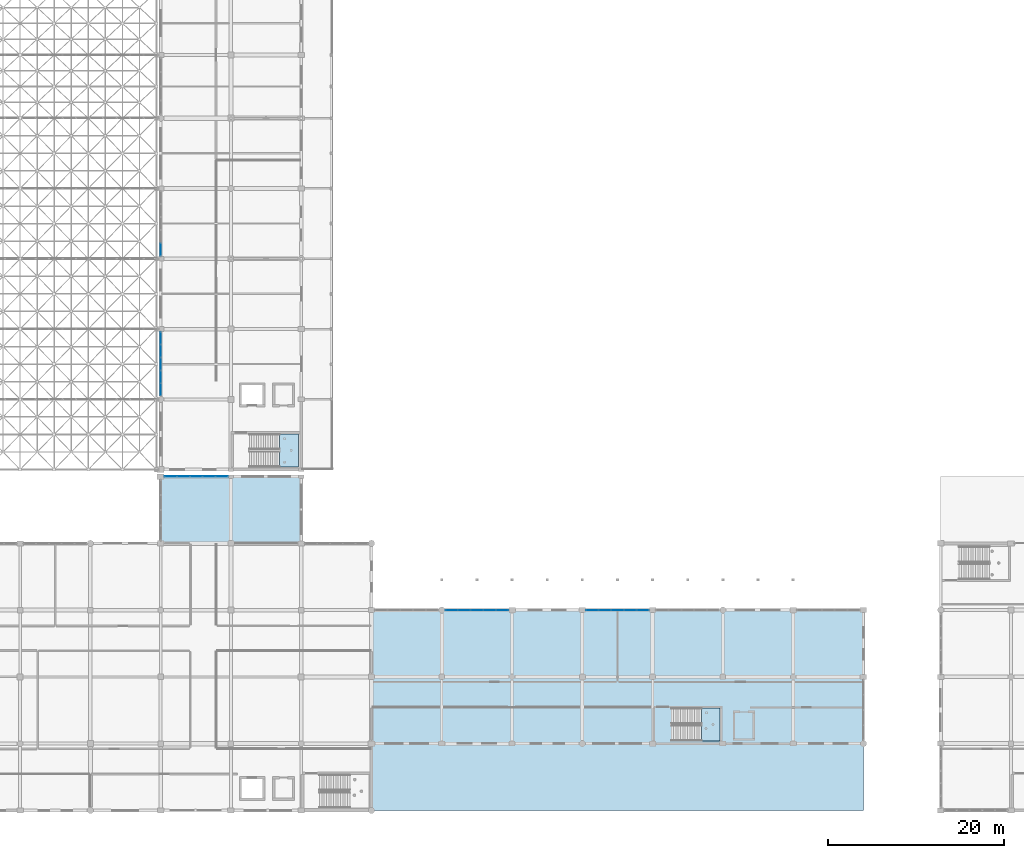
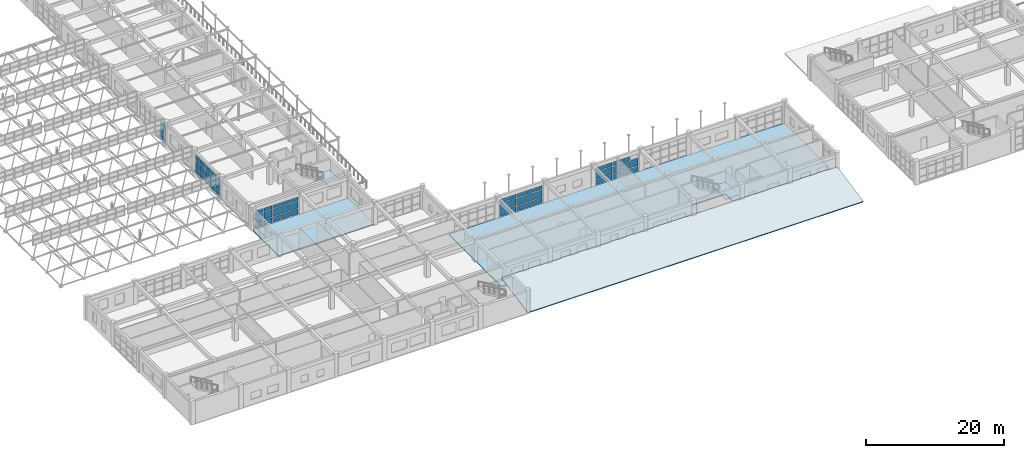
# One storey, part 145 of 195: 62 plates, 5 slabs, 7 elements without a shape of their own.
"""IFC4 building model written with IfcOpenShell, lengths in metres."""

from ifc_helpers import new_model, si_unit, direction, frame, origin, origin_2d, place, context, subcontext, project, spatial, polyline, rectangle, outline, extrude, material, layer, layer_set, type_object, element, aggregate, save


model = new_model("IFC4")

# Units and contexts
model_context = context("Model", 3, precision=1e-05, world=origin(), true_north=direction((0.0, 1.0)))
body_context = subcontext(model_context, "Body", "Model", "MODEL_VIEW")
ifc_project = project(units=[si_unit("LENGTHUNIT", "METRE"), si_unit("AREAUNIT", "SQUARE_METRE"), si_unit("VOLUMEUNIT", "CUBIC_METRE"), si_unit("PLANEANGLEUNIT", "RADIAN"), si_unit("MASSUNIT", "GRAM", prefix="KILO")], contexts=[model_context])

# Site, building, storey
site_placement = place(None, origin())
site = spatial("IfcSite", under=ifc_project, at=site_placement, CompositionType="ELEMENT")
building_placement = place(site_placement, origin())
building = spatial("IfcBuilding", under=site, at=building_placement, Name="Kharva Crest Polytechnic", CompositionType="ELEMENT")
storey_placement = place(building_placement, frame((0.0, 0.0, 9.0)))
storey = spatial("IfcBuildingStorey", under=building, at=storey_placement, Name="L02", CompositionType="ELEMENT", Elevation=9.0)

# Curtain wall, plates
ifc_material_1 = material(Name="Tempered insulated glass", Category="glass")
curtain_wall_type = type_object("IfcCurtainWallType", Name="CW-SYS-COURT", PredefinedType="USERDEFINED", material=ifc_material_1)
curtain_wall_1_placement = place(storey_placement, origin())
curtain_wall_1 = element("IfcCurtainWall", 1, at=curtain_wall_1_placement, inside=storey, type_object=curtain_wall_type, Name="L02 Glazed Curtain Wall CW-083", ObjectType="CURTAIN WALL", PredefinedType="USERDEFINED")
ifc_layer_1 = layer(ifc_material_1, 0.02392578125, Name="Tempered insulated glass")
ifc_layer_set_1 = layer_set([ifc_layer_1], Name="Tempered insulated glass")
plate_type = type_object("IfcPlateType", Name="CWP-GLZ-24", PredefinedType="CURTAIN_PANEL", material=ifc_layer_set_1)
plate_1_placement = place(storey_placement, frame((86.889404296875, 22.800048828125, 0.119873046875), z_axis=(0.0, 0.0, 1.0), x_axis=(-1.0, 0.0, 0.0)))
plate_1 = element("IfcPlate", 2, at=plate_1_placement, type_object=plate_type, Name="CW-083 panel 1.1", PredefinedType="CURTAIN_PANEL", context=body_context, shape_type="SweptSolid", body=[
    extrude(rectangle(XDim=1.3310546875, YDim=0.02392578125, at=origin_2d()), origin(), (0.0, 0.0, 1.0), 0.8701171875),
])
plate_2_placement = place(storey_placement, frame((86.889404296875, 22.800048828125, 1.10986328125), z_axis=(0.0, 0.0, 1.0), x_axis=(-1.0, 0.0, 0.0)))
plate_2 = element("IfcPlate", 3, at=plate_2_placement, type_object=plate_type, Name="CW-083 panel 1.2", PredefinedType="CURTAIN_PANEL", context=body_context, shape_type="SweptSolid", body=[
    extrude(rectangle(XDim=1.3310546875, YDim=0.02392578125, at=origin_2d()), origin(), (0.0, 0.0, 1.0), 1.280029296875),
])
plate_3_placement = place(storey_placement, frame((85.45849609375, 22.800048828125, 0.119873046875), z_axis=(0.0, 0.0, 1.0), x_axis=(-1.0, 0.0, 0.0)))
plate_3 = element("IfcPlate", 4, at=plate_3_placement, type_object=plate_type, Name="CW-083 panel 2.1", PredefinedType="CURTAIN_PANEL", context=body_context, shape_type="SweptSolid", body=[
    extrude(rectangle(XDim=1.37109375, YDim=0.02392578125, at=origin_2d()), origin(), (0.0, 0.0, 1.0), 0.8701171875),
])
plate_4_placement = place(storey_placement, frame((85.45849609375, 22.800048828125, 1.10986328125), z_axis=(0.0, 0.0, 1.0), x_axis=(-1.0, 0.0, 0.0)))
plate_4 = element("IfcPlate", 5, at=plate_4_placement, type_object=plate_type, Name="CW-083 panel 2.2", PredefinedType="CURTAIN_PANEL", context=body_context, shape_type="SweptSolid", body=[
    extrude(rectangle(XDim=1.37109375, YDim=0.02392578125, at=origin_2d()), origin(), (0.0, 0.0, 1.0), 1.280029296875),
])
plate_5_placement = place(storey_placement, frame((85.45849609375, 22.800048828125, 2.51025390625), z_axis=(0.0, 0.0, 1.0), x_axis=(-1.0, 0.0, 0.0)))
plate_5 = element("IfcPlate", 6, at=plate_5_placement, type_object=plate_type, Name="CW-083 panel 2.3", PredefinedType="CURTAIN_PANEL", context=body_context, shape_type="SweptSolid", body=[
    extrude(rectangle(XDim=1.37109375, YDim=0.02392578125, at=origin_2d()), origin(), (0.0, 0.0, 1.0), 0.639892578125),
])
plate_6_placement = place(storey_placement, frame((84.007568359375, 22.800048828125, 0.119873046875), z_axis=(0.0, 0.0, 1.0), x_axis=(-1.0, 0.0, 0.0)))
plate_6 = element("IfcPlate", 7, at=plate_6_placement, type_object=plate_type, Name="CW-083 panel 3.1", PredefinedType="CURTAIN_PANEL", context=body_context, shape_type="SweptSolid", body=[
    extrude(rectangle(XDim=1.37109375, YDim=0.02392578125, at=origin_2d()), origin(), (0.0, 0.0, 1.0), 0.8701171875),
])
plate_7_placement = place(storey_placement, frame((84.007568359375, 22.800048828125, 1.10986328125), z_axis=(0.0, 0.0, 1.0), x_axis=(-1.0, 0.0, 0.0)))
plate_7 = element("IfcPlate", 8, at=plate_7_placement, type_object=plate_type, Name="CW-083 panel 3.2", PredefinedType="CURTAIN_PANEL", context=body_context, shape_type="SweptSolid", body=[
    extrude(rectangle(XDim=1.37109375, YDim=0.02392578125, at=origin_2d()), origin(), (0.0, 0.0, 1.0), 1.280029296875),
])
plate_8_placement = place(storey_placement, frame((84.007568359375, 22.800048828125, 2.51025390625), z_axis=(0.0, 0.0, 1.0), x_axis=(-1.0, 0.0, 0.0)))
plate_8 = element("IfcPlate", 9, at=plate_8_placement, type_object=plate_type, Name="CW-083 panel 3.3", PredefinedType="CURTAIN_PANEL", context=body_context, shape_type="SweptSolid", body=[
    extrude(rectangle(XDim=1.37109375, YDim=0.02392578125, at=origin_2d()), origin(), (0.0, 0.0, 1.0), 0.639892578125),
])
plate_9_placement = place(storey_placement, frame((82.556396484375, 22.800048828125, 0.119873046875), z_axis=(0.0, 0.0, 1.0), x_axis=(-1.0, 0.0, 0.0)))
plate_9 = element("IfcPlate", 10, at=plate_9_placement, type_object=plate_type, Name="CW-083 panel 4.1", PredefinedType="CURTAIN_PANEL", context=body_context, shape_type="SweptSolid", body=[
    extrude(rectangle(XDim=1.37109375, YDim=0.02392578125, at=origin_2d()), origin(), (0.0, 0.0, 1.0), 0.8701171875),
])
plate_10_placement = place(storey_placement, frame((82.556396484375, 22.800048828125, 1.10986328125), z_axis=(0.0, 0.0, 1.0), x_axis=(-1.0, 0.0, 0.0)))
plate_10 = element("IfcPlate", 11, at=plate_10_placement, type_object=plate_type, Name="CW-083 panel 4.2", PredefinedType="CURTAIN_PANEL", context=body_context, shape_type="SweptSolid", body=[
    extrude(rectangle(XDim=1.37109375, YDim=0.02392578125, at=origin_2d()), origin(), (0.0, 0.0, 1.0), 1.280029296875),
])
plate_11_placement = place(storey_placement, frame((82.556396484375, 22.800048828125, 2.51025390625), z_axis=(0.0, 0.0, 1.0), x_axis=(-1.0, 0.0, 0.0)))
plate_11 = element("IfcPlate", 12, at=plate_11_placement, type_object=plate_type, Name="CW-083 panel 4.3", PredefinedType="CURTAIN_PANEL", context=body_context, shape_type="SweptSolid", body=[
    extrude(rectangle(XDim=1.37109375, YDim=0.02392578125, at=origin_2d()), origin(), (0.0, 0.0, 1.0), 0.639892578125),
])
plate_12_placement = place(storey_placement, frame((81.12548828125, 22.800048828125, 0.119873046875), z_axis=(0.0, 0.0, 1.0), x_axis=(-1.0, 0.0, 0.0)))
plate_12 = element("IfcPlate", 13, at=plate_12_placement, type_object=plate_type, Name="CW-083 panel 5.1", PredefinedType="CURTAIN_PANEL", context=body_context, shape_type="SweptSolid", body=[
    extrude(rectangle(XDim=1.3310546875, YDim=0.02392578125, at=origin_2d()), origin(), (0.0, 0.0, 1.0), 0.8701171875),
])
plate_13_placement = place(storey_placement, frame((81.12548828125, 22.800048828125, 1.10986328125), z_axis=(0.0, 0.0, 1.0), x_axis=(-1.0, 0.0, 0.0)))
plate_13 = element("IfcPlate", 14, at=plate_13_placement, type_object=plate_type, Name="CW-083 panel 5.2", PredefinedType="CURTAIN_PANEL", context=body_context, shape_type="SweptSolid", body=[
    extrude(rectangle(XDim=1.3310546875, YDim=0.02392578125, at=origin_2d()), origin(), (0.0, 0.0, 1.0), 1.280029296875),
])
plate_14_placement = place(storey_placement, frame((81.12548828125, 22.800048828125, 2.51025390625), z_axis=(0.0, 0.0, 1.0), x_axis=(-1.0, 0.0, 0.0)))
plate_14 = element("IfcPlate", 15, at=plate_14_placement, type_object=plate_type, Name="CW-083 panel 5.3", PredefinedType="CURTAIN_PANEL", context=body_context, shape_type="SweptSolid", body=[
    extrude(rectangle(XDim=1.3310546875, YDim=0.02392578125, at=origin_2d()), origin(), (0.0, 0.0, 1.0), 0.639892578125),
])
aggregate(curtain_wall_1, [plate_1, plate_2, plate_3, plate_4, plate_5, plate_6, plate_7, plate_8, plate_9, plate_10, plate_11, plate_12, plate_13, plate_14])

curtain_wall_2_placement = place(storey_placement, origin())
curtain_wall_2 = element("IfcCurtainWall", 16, at=curtain_wall_2_placement, inside=storey, type_object=curtain_wall_type, Name="L02 Glazed Curtain Wall CW-084", ObjectType="CURTAIN WALL", PredefinedType="USERDEFINED")
plate_15_placement = place(storey_placement, frame((70.87451171875, 22.800048828125, 0.119873046875), z_axis=(0.0, 0.0, 1.0), x_axis=(-1.0, 0.0, 0.0)))
plate_15 = element("IfcPlate", 17, at=plate_15_placement, type_object=plate_type, Name="CW-084 panel 1.1", PredefinedType="CURTAIN_PANEL", context=body_context, shape_type="SweptSolid", body=[
    extrude(rectangle(XDim=1.3310546875, YDim=0.02392578125, at=origin_2d()), origin(), (0.0, 0.0, 1.0), 0.8701171875),
])
plate_16_placement = place(storey_placement, frame((70.87451171875, 22.800048828125, 1.10986328125), z_axis=(0.0, 0.0, 1.0), x_axis=(-1.0, 0.0, 0.0)))
plate_16 = element("IfcPlate", 18, at=plate_16_placement, type_object=plate_type, Name="CW-084 panel 1.2", PredefinedType="CURTAIN_PANEL", context=body_context, shape_type="SweptSolid", body=[
    extrude(rectangle(XDim=1.3310546875, YDim=0.02392578125, at=origin_2d()), origin(), (0.0, 0.0, 1.0), 1.280029296875),
])
plate_17_placement = place(storey_placement, frame((70.87451171875, 22.800048828125, 2.51025390625), z_axis=(0.0, 0.0, 1.0), x_axis=(-1.0, 0.0, 0.0)))
plate_17 = element("IfcPlate", 19, at=plate_17_placement, type_object=plate_type, Name="CW-084 panel 1.3", PredefinedType="CURTAIN_PANEL", context=body_context, shape_type="SweptSolid", body=[
    extrude(rectangle(XDim=1.3310546875, YDim=0.02392578125, at=origin_2d()), origin(), (0.0, 0.0, 1.0), 0.639892578125),
])
plate_18_placement = place(storey_placement, frame((69.443603515625, 22.800048828125, 0.119873046875), z_axis=(0.0, 0.0, 1.0), x_axis=(-1.0, 0.0, 0.0)))
plate_18 = element("IfcPlate", 20, at=plate_18_placement, type_object=plate_type, Name="CW-084 panel 2.1", PredefinedType="CURTAIN_PANEL", context=body_context, shape_type="SweptSolid", body=[
    extrude(rectangle(XDim=1.37109375, YDim=0.02392578125, at=origin_2d()), origin(), (0.0, 0.0, 1.0), 0.8701171875),
])
plate_19_placement = place(storey_placement, frame((69.443603515625, 22.800048828125, 1.10986328125), z_axis=(0.0, 0.0, 1.0), x_axis=(-1.0, 0.0, 0.0)))
plate_19 = element("IfcPlate", 21, at=plate_19_placement, type_object=plate_type, Name="CW-084 panel 2.2", PredefinedType="CURTAIN_PANEL", context=body_context, shape_type="SweptSolid", body=[
    extrude(rectangle(XDim=1.37109375, YDim=0.02392578125, at=origin_2d()), origin(), (0.0, 0.0, 1.0), 1.280029296875),
])
plate_20_placement = place(storey_placement, frame((69.443603515625, 22.800048828125, 2.51025390625), z_axis=(0.0, 0.0, 1.0), x_axis=(-1.0, 0.0, 0.0)))
plate_20 = element("IfcPlate", 22, at=plate_20_placement, type_object=plate_type, Name="CW-084 panel 2.3", PredefinedType="CURTAIN_PANEL", context=body_context, shape_type="SweptSolid", body=[
    extrude(rectangle(XDim=1.37109375, YDim=0.02392578125, at=origin_2d()), origin(), (0.0, 0.0, 1.0), 0.639892578125),
])
plate_21_placement = place(storey_placement, frame((67.992431640625, 22.800048828125, 0.119873046875), z_axis=(0.0, 0.0, 1.0), x_axis=(-1.0, 0.0, 0.0)))
plate_21 = element("IfcPlate", 23, at=plate_21_placement, type_object=plate_type, Name="CW-084 panel 3.1", PredefinedType="CURTAIN_PANEL", context=body_context, shape_type="SweptSolid", body=[
    extrude(rectangle(XDim=1.37109375, YDim=0.02392578125, at=origin_2d()), origin(), (0.0, 0.0, 1.0), 0.8701171875),
])
plate_22_placement = place(storey_placement, frame((67.992431640625, 22.800048828125, 1.10986328125), z_axis=(0.0, 0.0, 1.0), x_axis=(-1.0, 0.0, 0.0)))
plate_22 = element("IfcPlate", 24, at=plate_22_placement, type_object=plate_type, Name="CW-084 panel 3.2", PredefinedType="CURTAIN_PANEL", context=body_context, shape_type="SweptSolid", body=[
    extrude(rectangle(XDim=1.37109375, YDim=0.02392578125, at=origin_2d()), origin(), (0.0, 0.0, 1.0), 1.280029296875),
])
plate_23_placement = place(storey_placement, frame((67.992431640625, 22.800048828125, 2.51025390625), z_axis=(0.0, 0.0, 1.0), x_axis=(-1.0, 0.0, 0.0)))
plate_23 = element("IfcPlate", 25, at=plate_23_placement, type_object=plate_type, Name="CW-084 panel 3.3", PredefinedType="CURTAIN_PANEL", context=body_context, shape_type="SweptSolid", body=[
    extrude(rectangle(XDim=1.37109375, YDim=0.02392578125, at=origin_2d()), origin(), (0.0, 0.0, 1.0), 0.639892578125),
])
plate_24_placement = place(storey_placement, frame((66.54150390625, 22.800048828125, 0.119873046875), z_axis=(0.0, 0.0, 1.0), x_axis=(-1.0, 0.0, 0.0)))
plate_24 = element("IfcPlate", 26, at=plate_24_placement, type_object=plate_type, Name="CW-084 panel 4.1", PredefinedType="CURTAIN_PANEL", context=body_context, shape_type="SweptSolid", body=[
    extrude(rectangle(XDim=1.37109375, YDim=0.02392578125, at=origin_2d()), origin(), (0.0, 0.0, 1.0), 0.8701171875),
])
plate_25_placement = place(storey_placement, frame((66.54150390625, 22.800048828125, 1.10986328125), z_axis=(0.0, 0.0, 1.0), x_axis=(-1.0, 0.0, 0.0)))
plate_25 = element("IfcPlate", 27, at=plate_25_placement, type_object=plate_type, Name="CW-084 panel 4.2", PredefinedType="CURTAIN_PANEL", context=body_context, shape_type="SweptSolid", body=[
    extrude(rectangle(XDim=1.37109375, YDim=0.02392578125, at=origin_2d()), origin(), (0.0, 0.0, 1.0), 1.280029296875),
])
plate_26_placement = place(storey_placement, frame((66.54150390625, 22.800048828125, 2.51025390625), z_axis=(0.0, 0.0, 1.0), x_axis=(-1.0, 0.0, 0.0)))
plate_26 = element("IfcPlate", 28, at=plate_26_placement, type_object=plate_type, Name="CW-084 panel 4.3", PredefinedType="CURTAIN_PANEL", context=body_context, shape_type="SweptSolid", body=[
    extrude(rectangle(XDim=1.37109375, YDim=0.02392578125, at=origin_2d()), origin(), (0.0, 0.0, 1.0), 0.639892578125),
])
plate_27_placement = place(storey_placement, frame((65.110595703125, 22.800048828125, 0.119873046875), z_axis=(0.0, 0.0, 1.0), x_axis=(-1.0, 0.0, 0.0)))
plate_27 = element("IfcPlate", 29, at=plate_27_placement, type_object=plate_type, Name="CW-084 panel 5.1", PredefinedType="CURTAIN_PANEL", context=body_context, shape_type="SweptSolid", body=[
    extrude(rectangle(XDim=1.3310546875, YDim=0.02392578125, at=origin_2d()), origin(), (0.0, 0.0, 1.0), 0.8701171875),
])
plate_28_placement = place(storey_placement, frame((65.110595703125, 22.800048828125, 1.10986328125), z_axis=(0.0, 0.0, 1.0), x_axis=(-1.0, 0.0, 0.0)))
plate_28 = element("IfcPlate", 30, at=plate_28_placement, type_object=plate_type, Name="CW-084 panel 5.2", PredefinedType="CURTAIN_PANEL", context=body_context, shape_type="SweptSolid", body=[
    extrude(rectangle(XDim=1.3310546875, YDim=0.02392578125, at=origin_2d()), origin(), (0.0, 0.0, 1.0), 1.280029296875),
])
plate_29_placement = place(storey_placement, frame((65.110595703125, 22.800048828125, 2.51025390625), z_axis=(0.0, 0.0, 1.0), x_axis=(-1.0, 0.0, 0.0)))
plate_29 = element("IfcPlate", 31, at=plate_29_placement, type_object=plate_type, Name="CW-084 panel 5.3", PredefinedType="CURTAIN_PANEL", context=body_context, shape_type="SweptSolid", body=[
    extrude(rectangle(XDim=1.3310546875, YDim=0.02392578125, at=origin_2d()), origin(), (0.0, 0.0, 1.0), 0.639892578125),
])
aggregate(curtain_wall_2, [plate_15, plate_16, plate_17, plate_18, plate_19, plate_20, plate_21, plate_22, plate_23, plate_24, plate_25, plate_26, plate_27, plate_28, plate_29])

curtain_wall_3_placement = place(storey_placement, origin())
curtain_wall_3 = element("IfcCurtainWall", 32, at=curtain_wall_3_placement, inside=storey, type_object=curtain_wall_type, Name="L02 Glazed Curtain Wall CW-087", ObjectType="CURTAIN WALL", PredefinedType="USERDEFINED")
plate_30_placement = place(storey_placement, frame((38.946044921875, 38.0, 0.119873046875), z_axis=(0.0, 0.0, 1.0), x_axis=(-1.0, 0.0, 0.0)))
plate_30 = element("IfcPlate", 33, at=plate_30_placement, type_object=plate_type, Name="CW-087 panel 1.1", PredefinedType="CURTAIN_PANEL", context=body_context, shape_type="SweptSolid", body=[
    extrude(rectangle(XDim=1.337890625, YDim=0.02392578125, at=origin_2d()), origin(), (0.0, 0.0, 1.0), 0.8701171875),
])
plate_31_placement = place(storey_placement, frame((38.946044921875, 38.0, 1.10986328125), z_axis=(0.0, 0.0, 1.0), x_axis=(-1.0, 0.0, 0.0)))
plate_31 = element("IfcPlate", 34, at=plate_31_placement, type_object=plate_type, Name="CW-087 panel 1.2", PredefinedType="CURTAIN_PANEL", context=body_context, shape_type="SweptSolid", body=[
    extrude(rectangle(XDim=1.337890625, YDim=0.02392578125, at=origin_2d()), origin(), (0.0, 0.0, 1.0), 1.280029296875),
])
plate_32_placement = place(storey_placement, frame((38.946044921875, 38.0, 2.509765625), z_axis=(0.0, 0.0, 1.0), x_axis=(-1.0, 0.0, 0.0)))
plate_32 = element("IfcPlate", 35, at=plate_32_placement, type_object=plate_type, Name="CW-087 panel 1.3", PredefinedType="CURTAIN_PANEL", context=body_context, shape_type="SweptSolid", body=[
    extrude(rectangle(XDim=1.337890625, YDim=0.02392578125, at=origin_2d()), origin(), (0.0, 0.0, 1.0), 0.610107421875),
])
plate_33_placement = place(storey_placement, frame((37.508056640625, 38.0, 0.119873046875), z_axis=(0.0, 0.0, 1.0), x_axis=(-1.0, 0.0, 0.0)))
plate_33 = element("IfcPlate", 36, at=plate_33_placement, type_object=plate_type, Name="CW-087 panel 2.1", PredefinedType="CURTAIN_PANEL", context=body_context, shape_type="SweptSolid", body=[
    extrude(rectangle(XDim=1.3779296875, YDim=0.02392578125, at=origin_2d()), origin(), (0.0, 0.0, 1.0), 0.8701171875),
])
plate_34_placement = place(storey_placement, frame((37.508056640625, 38.0, 1.10986328125), z_axis=(0.0, 0.0, 1.0), x_axis=(-1.0, 0.0, 0.0)))
plate_34 = element("IfcPlate", 37, at=plate_34_placement, type_object=plate_type, Name="CW-087 panel 2.2", PredefinedType="CURTAIN_PANEL", context=body_context, shape_type="SweptSolid", body=[
    extrude(rectangle(XDim=1.3779296875, YDim=0.02392578125, at=origin_2d()), origin(), (0.0, 0.0, 1.0), 1.280029296875),
])
plate_35_placement = place(storey_placement, frame((37.508056640625, 38.0, 2.509765625), z_axis=(0.0, 0.0, 1.0), x_axis=(-1.0, 0.0, 0.0)))
plate_35 = element("IfcPlate", 38, at=plate_35_placement, type_object=plate_type, Name="CW-087 panel 2.3", PredefinedType="CURTAIN_PANEL", context=body_context, shape_type="SweptSolid", body=[
    extrude(rectangle(XDim=1.3779296875, YDim=0.02392578125, at=origin_2d()), origin(), (0.0, 0.0, 1.0), 0.610107421875),
])
plate_36_placement = place(storey_placement, frame((36.050048828125, 38.0, 0.119873046875), z_axis=(0.0, 0.0, 1.0), x_axis=(-1.0, 0.0, 0.0)))
plate_36 = element("IfcPlate", 39, at=plate_36_placement, type_object=plate_type, Name="CW-087 panel 3.1", PredefinedType="CURTAIN_PANEL", context=body_context, shape_type="SweptSolid", body=[
    extrude(rectangle(XDim=1.3779296875, YDim=0.02392578125, at=origin_2d()), origin(), (0.0, 0.0, 1.0), 0.8701171875),
])
plate_37_placement = place(storey_placement, frame((36.050048828125, 38.0, 1.10986328125), z_axis=(0.0, 0.0, 1.0), x_axis=(-1.0, 0.0, 0.0)))
plate_37 = element("IfcPlate", 40, at=plate_37_placement, type_object=plate_type, Name="CW-087 panel 3.2", PredefinedType="CURTAIN_PANEL", context=body_context, shape_type="SweptSolid", body=[
    extrude(rectangle(XDim=1.3779296875, YDim=0.02392578125, at=origin_2d()), origin(), (0.0, 0.0, 1.0), 1.280029296875),
])
plate_38_placement = place(storey_placement, frame((36.050048828125, 38.0, 2.509765625), z_axis=(0.0, 0.0, 1.0), x_axis=(-1.0, 0.0, 0.0)))
plate_38 = element("IfcPlate", 41, at=plate_38_placement, type_object=plate_type, Name="CW-087 panel 3.3", PredefinedType="CURTAIN_PANEL", context=body_context, shape_type="SweptSolid", body=[
    extrude(rectangle(XDim=1.3779296875, YDim=0.02392578125, at=origin_2d()), origin(), (0.0, 0.0, 1.0), 0.610107421875),
])
plate_39_placement = place(storey_placement, frame((34.592041015625, 38.0, 0.119873046875), z_axis=(0.0, 0.0, 1.0), x_axis=(-1.0, 0.0, 0.0)))
plate_39 = element("IfcPlate", 42, at=plate_39_placement, type_object=plate_type, Name="CW-087 panel 4.1", PredefinedType="CURTAIN_PANEL", context=body_context, shape_type="SweptSolid", body=[
    extrude(rectangle(XDim=1.3779296875, YDim=0.02392578125, at=origin_2d()), origin(), (0.0, 0.0, 1.0), 0.8701171875),
])
plate_40_placement = place(storey_placement, frame((34.592041015625, 38.0, 1.10986328125), z_axis=(0.0, 0.0, 1.0), x_axis=(-1.0, 0.0, 0.0)))
plate_40 = element("IfcPlate", 43, at=plate_40_placement, type_object=plate_type, Name="CW-087 panel 4.2", PredefinedType="CURTAIN_PANEL", context=body_context, shape_type="SweptSolid", body=[
    extrude(rectangle(XDim=1.3779296875, YDim=0.02392578125, at=origin_2d()), origin(), (0.0, 0.0, 1.0), 1.280029296875),
])
plate_41_placement = place(storey_placement, frame((34.592041015625, 38.0, 2.509765625), z_axis=(0.0, 0.0, 1.0), x_axis=(-1.0, 0.0, 0.0)))
plate_41 = element("IfcPlate", 44, at=plate_41_placement, type_object=plate_type, Name="CW-087 panel 4.3", PredefinedType="CURTAIN_PANEL", context=body_context, shape_type="SweptSolid", body=[
    extrude(rectangle(XDim=1.3779296875, YDim=0.02392578125, at=origin_2d()), origin(), (0.0, 0.0, 1.0), 0.610107421875),
])
plate_42_placement = place(storey_placement, frame((33.154052734375, 38.0, 0.119873046875), z_axis=(0.0, 0.0, 1.0), x_axis=(-1.0, 0.0, 0.0)))
plate_42 = element("IfcPlate", 45, at=plate_42_placement, type_object=plate_type, Name="CW-087 panel 5.1", PredefinedType="CURTAIN_PANEL", context=body_context, shape_type="SweptSolid", body=[
    extrude(rectangle(XDim=1.337890625, YDim=0.02392578125, at=origin_2d()), origin(), (0.0, 0.0, 1.0), 0.8701171875),
])
plate_43_placement = place(storey_placement, frame((33.154052734375, 38.0, 1.10986328125), z_axis=(0.0, 0.0, 1.0), x_axis=(-1.0, 0.0, 0.0)))
plate_43 = element("IfcPlate", 46, at=plate_43_placement, type_object=plate_type, Name="CW-087 panel 5.2", PredefinedType="CURTAIN_PANEL", context=body_context, shape_type="SweptSolid", body=[
    extrude(rectangle(XDim=1.337890625, YDim=0.02392578125, at=origin_2d()), origin(), (0.0, 0.0, 1.0), 1.280029296875),
])
plate_44_placement = place(storey_placement, frame((33.154052734375, 38.0, 2.509765625), z_axis=(0.0, 0.0, 1.0), x_axis=(-1.0, 0.0, 0.0)))
plate_44 = element("IfcPlate", 47, at=plate_44_placement, type_object=plate_type, Name="CW-087 panel 5.3", PredefinedType="CURTAIN_PANEL", context=body_context, shape_type="SweptSolid", body=[
    extrude(rectangle(XDim=1.337890625, YDim=0.02392578125, at=origin_2d()), origin(), (0.0, 0.0, 1.0), 0.610107421875),
])
aggregate(curtain_wall_3, [plate_30, plate_31, plate_32, plate_33, plate_34, plate_35, plate_36, plate_37, plate_38, plate_39, plate_40, plate_41, plate_42, plate_43, plate_44])

curtain_wall_4_placement = place(storey_placement, origin())
curtain_wall_4 = element("IfcCurtainWall", 48, at=curtain_wall_4_placement, inside=storey, type_object=curtain_wall_type, Name="L02 Glazed Curtain Wall CW-099", ObjectType="CURTAIN WALL", PredefinedType="USERDEFINED")
plate_45_placement = place(storey_placement, frame((32.0, 63.843994140625, 0.119873046875), z_axis=(0.0, 0.0, 1.0), x_axis=(0.0, -1.0, 0.0)))
plate_45 = element("IfcPlate", 49, at=plate_45_placement, type_object=plate_type, Name="CW-099 panel 5.1", PredefinedType="CURTAIN_PANEL", context=body_context, shape_type="SweptSolid", body=[
    extrude(rectangle(XDim=1.367919921875, YDim=0.02392578125, at=origin_2d()), origin(), (0.0, 0.0, 1.0), 0.8701171875),
])
plate_46_placement = place(storey_placement, frame((32.0, 63.843994140625, 1.10986328125), z_axis=(0.0, 0.0, 1.0), x_axis=(0.0, -1.0, 0.0)))
plate_46 = element("IfcPlate", 50, at=plate_46_placement, type_object=plate_type, Name="CW-099 panel 5.2", PredefinedType="CURTAIN_PANEL", context=body_context, shape_type="SweptSolid", body=[
    extrude(rectangle(XDim=1.367919921875, YDim=0.02392578125, at=origin_2d()), origin(), (0.0, 0.0, 1.0), 1.280029296875),
])
plate_47_placement = place(storey_placement, frame((32.0, 63.843994140625, 2.510009765625), z_axis=(0.0, 0.0, 1.0), x_axis=(0.0, -1.0, 0.0)))
plate_47 = element("IfcPlate", 51, at=plate_47_placement, type_object=plate_type, Name="CW-099 panel 5.3", PredefinedType="CURTAIN_PANEL", context=body_context, shape_type="SweptSolid", body=[
    extrude(rectangle(XDim=1.367919921875, YDim=0.02392578125, at=origin_2d()), origin(), (0.0, 0.0, 1.0), 0.669921875),
])
aggregate(curtain_wall_4, [plate_45, plate_46, plate_47])

curtain_wall_5_placement = place(storey_placement, origin())
curtain_wall_5 = element("IfcCurtainWall", 52, at=curtain_wall_5_placement, inside=storey, type_object=curtain_wall_type, Name="L02 Glazed Curtain Wall CW-100", ObjectType="CURTAIN WALL", PredefinedType="USERDEFINED")
plate_48_placement = place(storey_placement, frame((32.0, 53.741943359375, 0.119873046875), z_axis=(0.0, 0.0, 1.0), x_axis=(0.0, -1.0, 0.0)))
plate_48 = element("IfcPlate", 53, at=plate_48_placement, type_object=plate_type, Name="CW-100 panel 1.1", PredefinedType="CURTAIN_PANEL", context=body_context, shape_type="SweptSolid", body=[
    extrude(rectangle(XDim=1.345947265625, YDim=0.02392578125, at=origin_2d()), origin(), (0.0, 0.0, 1.0), 0.8701171875),
])
plate_49_placement = place(storey_placement, frame((32.0, 53.741943359375, 1.10986328125), z_axis=(0.0, 0.0, 1.0), x_axis=(0.0, -1.0, 0.0)))
plate_49 = element("IfcPlate", 54, at=plate_49_placement, type_object=plate_type, Name="CW-100 panel 1.2", PredefinedType="CURTAIN_PANEL", context=body_context, shape_type="SweptSolid", body=[
    extrude(rectangle(XDim=1.345947265625, YDim=0.02392578125, at=origin_2d()), origin(), (0.0, 0.0, 1.0), 1.280029296875),
])
plate_50_placement = place(storey_placement, frame((32.0, 53.741943359375, 2.510009765625), z_axis=(0.0, 0.0, 1.0), x_axis=(0.0, -1.0, 0.0)))
plate_50 = element("IfcPlate", 55, at=plate_50_placement, type_object=plate_type, Name="CW-100 panel 1.3", PredefinedType="CURTAIN_PANEL", context=body_context, shape_type="SweptSolid", body=[
    extrude(rectangle(XDim=1.345947265625, YDim=0.02392578125, at=origin_2d()), origin(), (0.0, 0.0, 1.0), 0.830078125),
])
plate_51_placement = place(storey_placement, frame((32.0, 52.2958984375, 0.119873046875), z_axis=(0.0, 0.0, 1.0), x_axis=(0.0, -1.0, 0.0)))
plate_51 = element("IfcPlate", 56, at=plate_51_placement, type_object=plate_type, Name="CW-100 panel 2.1", PredefinedType="CURTAIN_PANEL", context=body_context, shape_type="SweptSolid", body=[
    extrude(rectangle(XDim=1.385986328125, YDim=0.02392578125, at=origin_2d()), origin(), (0.0, 0.0, 1.0), 0.8701171875),
])
plate_52_placement = place(storey_placement, frame((32.0, 52.2958984375, 1.10986328125), z_axis=(0.0, 0.0, 1.0), x_axis=(0.0, -1.0, 0.0)))
plate_52 = element("IfcPlate", 57, at=plate_52_placement, type_object=plate_type, Name="CW-100 panel 2.2", PredefinedType="CURTAIN_PANEL", context=body_context, shape_type="SweptSolid", body=[
    extrude(rectangle(XDim=1.385986328125, YDim=0.02392578125, at=origin_2d()), origin(), (0.0, 0.0, 1.0), 1.280029296875),
])
plate_53_placement = place(storey_placement, frame((32.0, 52.2958984375, 2.510009765625), z_axis=(0.0, 0.0, 1.0), x_axis=(0.0, -1.0, 0.0)))
plate_53 = element("IfcPlate", 58, at=plate_53_placement, type_object=plate_type, Name="CW-100 panel 2.3", PredefinedType="CURTAIN_PANEL", context=body_context, shape_type="SweptSolid", body=[
    extrude(rectangle(XDim=1.385986328125, YDim=0.02392578125, at=origin_2d()), origin(), (0.0, 0.0, 1.0), 0.830078125),
])
plate_54_placement = place(storey_placement, frame((32.0, 50.830078125, 0.119873046875), z_axis=(0.0, 0.0, 1.0), x_axis=(0.0, -1.0, 0.0)))
plate_54 = element("IfcPlate", 59, at=plate_54_placement, type_object=plate_type, Name="CW-100 panel 3.1", PredefinedType="CURTAIN_PANEL", context=body_context, shape_type="SweptSolid", body=[
    extrude(rectangle(XDim=1.385986328125, YDim=0.02392578125, at=origin_2d()), origin(), (0.0, 0.0, 1.0), 0.8701171875),
])
plate_55_placement = place(storey_placement, frame((32.0, 50.830078125, 1.10986328125), z_axis=(0.0, 0.0, 1.0), x_axis=(0.0, -1.0, 0.0)))
plate_55 = element("IfcPlate", 60, at=plate_55_placement, type_object=plate_type, Name="CW-100 panel 3.2", PredefinedType="CURTAIN_PANEL", context=body_context, shape_type="SweptSolid", body=[
    extrude(rectangle(XDim=1.385986328125, YDim=0.02392578125, at=origin_2d()), origin(), (0.0, 0.0, 1.0), 1.280029296875),
])
plate_56_placement = place(storey_placement, frame((32.0, 50.830078125, 2.510009765625), z_axis=(0.0, 0.0, 1.0), x_axis=(0.0, -1.0, 0.0)))
plate_56 = element("IfcPlate", 61, at=plate_56_placement, type_object=plate_type, Name="CW-100 panel 3.3", PredefinedType="CURTAIN_PANEL", context=body_context, shape_type="SweptSolid", body=[
    extrude(rectangle(XDim=1.385986328125, YDim=0.02392578125, at=origin_2d()), origin(), (0.0, 0.0, 1.0), 0.830078125),
])
plate_57_placement = place(storey_placement, frame((32.0, 49.364013671875, 0.119873046875), z_axis=(0.0, 0.0, 1.0), x_axis=(0.0, -1.0, 0.0)))
plate_57 = element("IfcPlate", 62, at=plate_57_placement, type_object=plate_type, Name="CW-100 panel 4.1", PredefinedType="CURTAIN_PANEL", context=body_context, shape_type="SweptSolid", body=[
    extrude(rectangle(XDim=1.385986328125, YDim=0.02392578125, at=origin_2d()), origin(), (0.0, 0.0, 1.0), 0.8701171875),
])
plate_58_placement = place(storey_placement, frame((32.0, 49.364013671875, 1.10986328125), z_axis=(0.0, 0.0, 1.0), x_axis=(0.0, -1.0, 0.0)))
plate_58 = element("IfcPlate", 63, at=plate_58_placement, type_object=plate_type, Name="CW-100 panel 4.2", PredefinedType="CURTAIN_PANEL", context=body_context, shape_type="SweptSolid", body=[
    extrude(rectangle(XDim=1.385986328125, YDim=0.02392578125, at=origin_2d()), origin(), (0.0, 0.0, 1.0), 1.280029296875),
])
plate_59_placement = place(storey_placement, frame((32.0, 49.364013671875, 2.510009765625), z_axis=(0.0, 0.0, 1.0), x_axis=(0.0, -1.0, 0.0)))
plate_59 = element("IfcPlate", 64, at=plate_59_placement, type_object=plate_type, Name="CW-100 panel 4.3", PredefinedType="CURTAIN_PANEL", context=body_context, shape_type="SweptSolid", body=[
    extrude(rectangle(XDim=1.385986328125, YDim=0.02392578125, at=origin_2d()), origin(), (0.0, 0.0, 1.0), 0.830078125),
])
plate_60_placement = place(storey_placement, frame((32.0, 47.91796875, 0.119873046875), z_axis=(0.0, 0.0, 1.0), x_axis=(0.0, -1.0, 0.0)))
plate_60 = element("IfcPlate", 65, at=plate_60_placement, type_object=plate_type, Name="CW-100 panel 5.1", PredefinedType="CURTAIN_PANEL", context=body_context, shape_type="SweptSolid", body=[
    extrude(rectangle(XDim=1.345947265625, YDim=0.02392578125, at=origin_2d()), origin(), (0.0, 0.0, 1.0), 0.8701171875),
])
plate_61_placement = place(storey_placement, frame((32.0, 47.91796875, 1.10986328125), z_axis=(0.0, 0.0, 1.0), x_axis=(0.0, -1.0, 0.0)))
plate_61 = element("IfcPlate", 66, at=plate_61_placement, type_object=plate_type, Name="CW-100 panel 5.2", PredefinedType="CURTAIN_PANEL", context=body_context, shape_type="SweptSolid", body=[
    extrude(rectangle(XDim=1.345947265625, YDim=0.02392578125, at=origin_2d()), origin(), (0.0, 0.0, 1.0), 1.280029296875),
])
plate_62_placement = place(storey_placement, frame((32.0, 47.91796875, 2.510009765625), z_axis=(0.0, 0.0, 1.0), x_axis=(0.0, -1.0, 0.0)))
plate_62 = element("IfcPlate", 67, at=plate_62_placement, type_object=plate_type, Name="CW-100 panel 5.3", PredefinedType="CURTAIN_PANEL", context=body_context, shape_type="SweptSolid", body=[
    extrude(rectangle(XDim=1.345947265625, YDim=0.02392578125, at=origin_2d()), origin(), (0.0, 0.0, 1.0), 0.830078125),
])
aggregate(curtain_wall_5, [plate_48, plate_49, plate_50, plate_51, plate_52, plate_53, plate_54, plate_55, plate_56, plate_57, plate_58, plate_59, plate_60, plate_61, plate_62])

# Slabs
ifc_material_2 = material(Name="Concrete C35/45", Category="concrete")
ifc_layer_2 = layer(ifc_material_2, 0.2099609375, Name="Concrete C35/45")
ifc_layer_set_2 = layer_set([ifc_layer_2], Name="Concrete C35/45")
slab_type_1 = type_object("IfcSlabType", Name="SLB-FLR-210", PredefinedType="FLOOR", material=ifc_layer_set_2)
slab_1_placement = place(storey_placement, frame((0.0, 0.0, -0.2099609375)))
element("IfcSlab", 68, at=slab_1_placement, inside=storey, type_object=slab_type_1, Name="L02 Structural Slab SW_LINK", PredefinedType="FLOOR", context=body_context, shape_type="SweptSolid", body=[
    extrude(outline(polyline([(32.0, 30.39990234375), (48.0, 30.39990234375), (48.0, 38.0), (32.0, 38.0), (32.0, 30.39990234375)])), origin(), (0.0, 0.0, 1.0), 0.2099609375),
])
slab_2_placement = place(storey_placement, frame((0.0, 0.0, -0.2099609375)))
element("IfcSlab", 69, at=slab_2_placement, inside=storey, type_object=slab_type_1, Name="L02 Structural Slab S_ADMIN", PredefinedType="FLOOR", context=body_context, shape_type="SweptSolid", body=[
    extrude(outline(polyline([(56.0, 7.60009765625), (112.0, 7.60009765625), (112.0, 22.800048828125), (56.0, 22.800048828125), (56.0, 7.60009765625)]), holes=[polyline([(90.159912109375, 7.89990234375), (95.699951171875, 7.89990234375), (95.699951171875, 11.659912109375), (90.159912109375, 11.659912109375), (90.159912109375, 7.89990234375)])]), origin(), (0.0, 0.0, 1.0), 0.2099609375),
])

# Stair, slab
stair_type_1 = type_object("IfcStairType", Name="STR-DOGLEG-1780", PredefinedType="TWO_STRAIGHT_RUN_STAIR", material=ifc_material_2)
stair_1_placement = place(storey_placement, origin())
stair_1 = element("IfcStair", 70, at=stair_1_placement, inside=storey, type_object=stair_type_1, Name="L02 West Workshop Core C2", PredefinedType="TWO_STRAIGHT_RUN_STAIR")
ifc_layer_3 = layer(ifc_material_2, 0.199951171875, Name="Concrete C35/45")
ifc_layer_set_3 = layer_set([ifc_layer_3], Name="Concrete C35/45")
slab_type_2 = type_object("IfcSlabType", Name="SLB-LAND-200", PredefinedType="LANDING", material=ifc_layer_set_3)
slab_3_placement = place(storey_placement, frame((0.0, 0.0, 1.89990234375)))
slab_3 = element("IfcSlab", 71, at=slab_3_placement, type_object=slab_type_2, Name="ST-02 landing 1", PredefinedType="LANDING", context=body_context, shape_type="SweptSolid", body=[
    extrude(outline(polyline([(45.534912109375, 39.10009765625), (47.699951171875, 39.10009765625), (47.699951171875, 42.860107421875), (45.534912109375, 42.860107421875), (45.534912109375, 39.10009765625)])), origin(), (0.0, 0.0, 1.0), 0.2001953125),
])
aggregate(stair_1, [slab_3])

stair_type_2 = type_object("IfcStairType", Name="STR-DOGLEG-1810", PredefinedType="TWO_STRAIGHT_RUN_STAIR", material=ifc_material_2)
stair_2_placement = place(storey_placement, origin())
stair_2 = element("IfcStair", 72, at=stair_2_placement, inside=storey, type_object=stair_type_2, Name="L02 South Entrance Wing Stair C8", PredefinedType="TWO_STRAIGHT_RUN_STAIR")
slab_4_placement = place(storey_placement, frame((0.0, 0.0, 1.89990234375)))
slab_4 = element("IfcSlab", 73, at=slab_4_placement, type_object=slab_type_2, Name="ST-08 landing 1", PredefinedType="LANDING", context=body_context, shape_type="SweptSolid", body=[
    extrude(outline(polyline([(93.56494140625, 7.89990234375), (95.699951171875, 7.89990234375), (95.699951171875, 11.659912109375), (93.56494140625, 11.659912109375), (93.56494140625, 7.89990234375)])), origin(), (0.0, 0.0, 1.0), 0.2001953125),
])
aggregate(stair_2, [slab_4])

# Slab
ifc_layer_4 = layer(ifc_material_2, 0.155029296875, Name="Concrete C35/45")
ifc_layer_set_4 = layer_set([ifc_layer_4], Name="Concrete C35/45")
slab_type_3 = type_object("IfcSlabType", Name="SLB-ROOF-155", PredefinedType="ROOF", material=ifc_layer_set_4)
slab_5_placement = place(storey_placement, frame((56.0, 0.0, 0.0), z_axis=(0.0, -0.199837292878, 0.979829095493), x_axis=(1.0, 0.0, 0.0)))
element("IfcSlab", 74, at=slab_5_placement, inside=storey, type_object=slab_type_3, Name="South Street Arcade Canopy Roof", PredefinedType="ROOF", context=body_context, shape_type="SweptSolid", body=[
    extrude(outline(polyline([(0.0, 0.0), (56.0, 0.0), (56.0, 7.756554373825303), (0.0, 7.756554373825303), (0.0, 0.0)])), origin(), (0.0, 0.0, -1.0), 0.155029296875),
])

save(model, "model.ifc")
